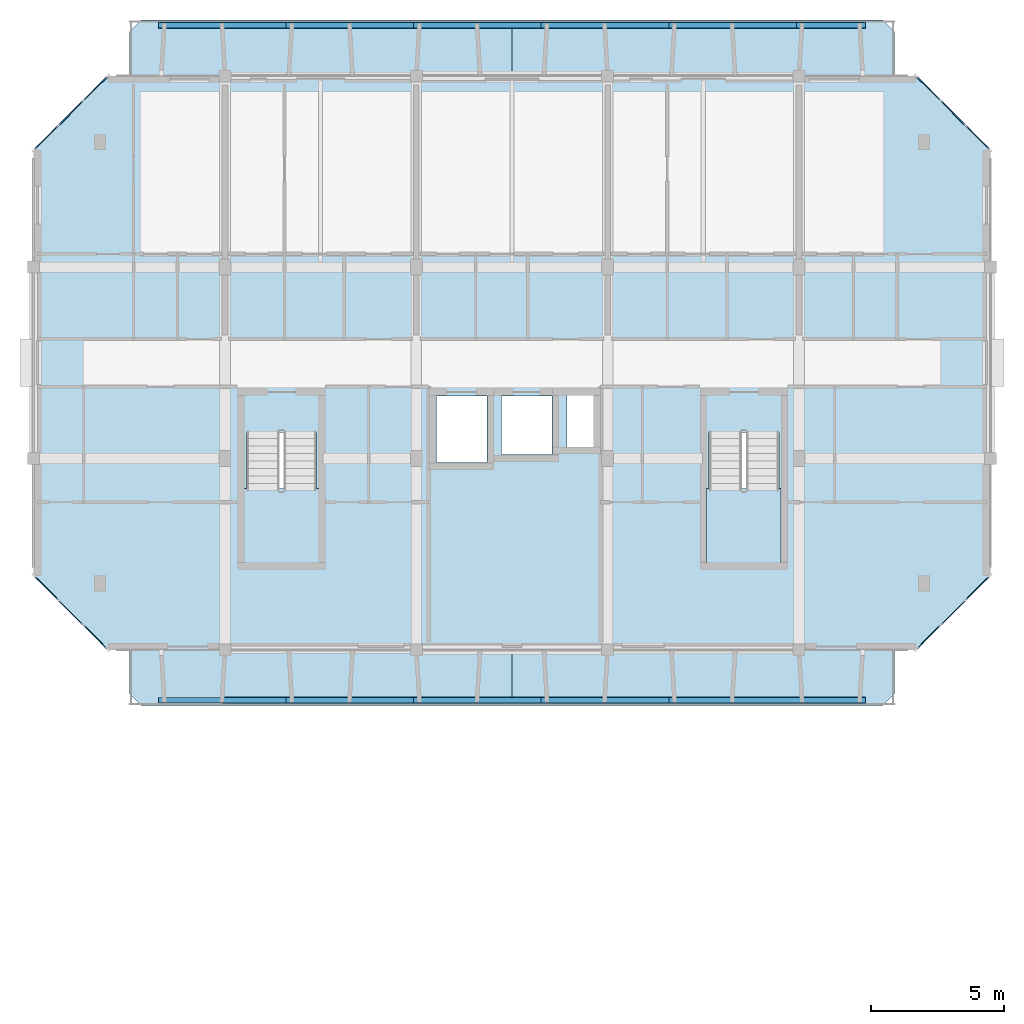
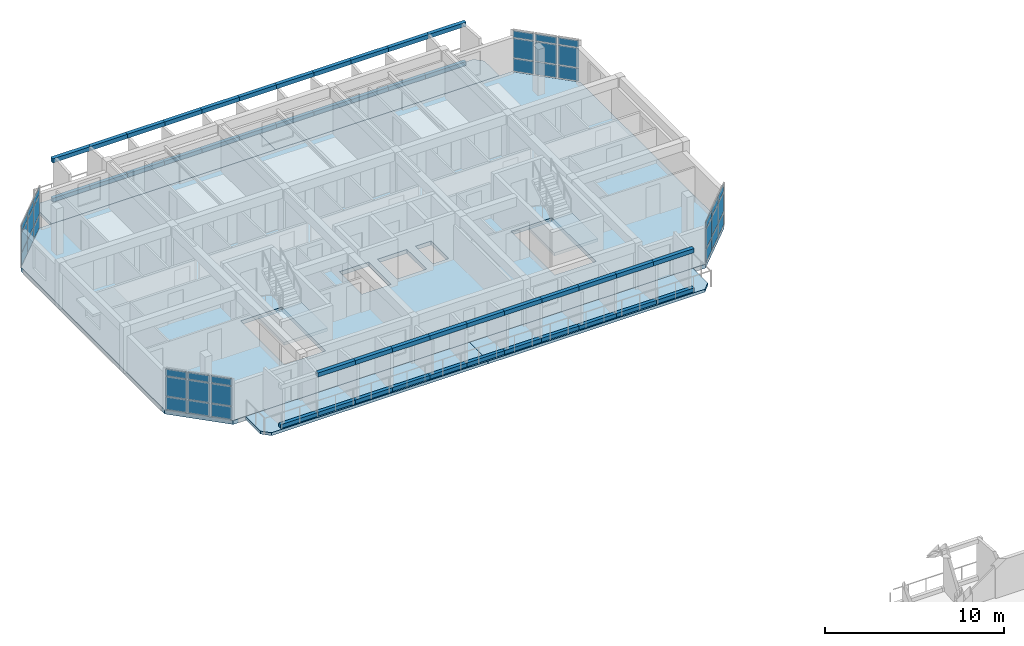
# One storey, part 7 of 22: 79 plates, 7 slabs, 6 elements without a shape of their own.
"""IFC4 building model written with IfcOpenShell, lengths in metres."""

from ifc_helpers import new_model, si_unit, direction, frame, origin, origin_2d, place, context, subcontext, project, spatial, polyline, rectangle, outline, extrude, material, layer, layer_set, type_object, element, aggregate, save


model = new_model("IFC4")

# Units and contexts
model_context = context("Model", 3, precision=1e-05, world=origin(), true_north=direction((0.0, 1.0)))
body_context = subcontext(model_context, "Body", "Model", "MODEL_VIEW")
ifc_project = project(units=[si_unit("LENGTHUNIT", "METRE"), si_unit("AREAUNIT", "SQUARE_METRE"), si_unit("VOLUMEUNIT", "CUBIC_METRE"), si_unit("PLANEANGLEUNIT", "RADIAN"), si_unit("MASSUNIT", "GRAM", prefix="KILO")], contexts=[model_context])

# Site, building, storey
site_placement = place(None, origin())
site = spatial("IfcSite", under=ifc_project, at=site_placement, CompositionType="ELEMENT")
building_placement = place(site_placement, origin())
building = spatial("IfcBuilding", under=site, at=building_placement, Name="Ochrevale Crest", CompositionType="ELEMENT")
storey_placement = place(building_placement, frame((0.0, 0.0, 40.199951171875)))
storey = spatial("IfcBuildingStorey", under=building, at=storey_placement, Name="L12", CompositionType="ELEMENT", Elevation=40.199951171875)

# Curtain wall, plates
ifc_material_1 = material(Name="Anodised aluminium 6063-T5", Category="aluminium")
ifc_layer_1 = layer(ifc_material_1, 0.14990234375)
ifc_layer_set_1 = layer_set([ifc_layer_1], Name="Anodised aluminium 6063-T5")
curtain_wall_type_1 = type_object("IfcCurtainWallType", Name="CW-WG-420x285", PredefinedType="NOTDEFINED", material=ifc_layer_set_1)
curtain_wall_1_placement = place(storey_placement, origin())
curtain_wall_1 = element("IfcCurtainWall", 1, at=curtain_wall_1_placement, inside=storey, type_object=curtain_wall_type_1, Name="Block D L12 chamfered corner wintergarden curtain wall 2", PredefinedType="NOTDEFINED")
ifc_material_2 = material(Name="Double-glazed low-E insulated glass unit", Category="glass")
ifc_layer_2 = layer(ifc_material_2, 0.028076171875)
ifc_layer_set_2 = layer_set([ifc_layer_2], Name="Double-glazed low-E insulated glass unit")
plate_type_1 = type_object("IfcPlateType", Name="CW-PNL-IGU28", PredefinedType="CURTAIN_PANEL", material=ifc_layer_set_2)
plate_1_placement = place(storey_placement, frame((163.280029296875, 72.47998046875, 0.06005859375), z_axis=(0.0, 0.0, 1.0), x_axis=(0.707106781187, 0.707106781187, 0.0)))
plate_1 = element("IfcPlate", 2, at=plate_1_placement, type_object=plate_type_1, Name="CW22 panel 1.1", PredefinedType="CURTAIN_PANEL", context=body_context, shape_type="SweptSolid", body=[
    extrude(rectangle(XDim=1.20751953125, YDim=0.028076171875, at=origin_2d()), origin(), (0.0, 0.0, 1.0), 0.860107421875),
])
plate_2_placement = place(storey_placement, frame((163.280029296875, 72.47998046875, 0.97998046875), z_axis=(0.0, 0.0, 1.0), x_axis=(0.707106781187, 0.707106781187, 0.0)))
plate_2 = element("IfcPlate", 3, at=plate_2_placement, type_object=plate_type_1, Name="CW22 panel 1.2", PredefinedType="CURTAIN_PANEL", context=body_context, shape_type="SweptSolid", body=[
    extrude(rectangle(XDim=1.20751953125, YDim=0.028076171875, at=origin_2d()), origin(), (0.0, 0.0, 1.0), 1.31494140625),
])
plate_3_placement = place(storey_placement, frame((163.280029296875, 72.47998046875, 2.35498046875), z_axis=(0.0, 0.0, 1.0), x_axis=(0.707106781187, 0.707106781187, 0.0)))
plate_3 = element("IfcPlate", 4, at=plate_3_placement, type_object=plate_type_1, Name="CW22 panel 1.3", PredefinedType="CURTAIN_PANEL", context=body_context, shape_type="SweptSolid", body=[
    extrude(rectangle(XDim=1.20751953125, YDim=0.028076171875, at=origin_2d()), origin(), (0.0, 0.0, 1.0), 0.4599609375),
])
plate_4_placement = place(storey_placement, frame((164.199951171875, 73.39990234375, 0.06005859375), z_axis=(0.0, 0.0, 1.0), x_axis=(0.707106781187, 0.707106781187, 0.0)))
plate_4 = element("IfcPlate", 5, at=plate_4_placement, type_object=plate_type_1, Name="CW22 panel 2.1", PredefinedType="CURTAIN_PANEL", context=body_context, shape_type="SweptSolid", body=[
    extrude(rectangle(XDim=1.244873046875, YDim=0.028076171875, at=origin_2d()), origin(), (0.0, 0.0, 1.0), 0.860107421875),
])
plate_5_placement = place(storey_placement, frame((164.199951171875, 73.39990234375, 0.97998046875), z_axis=(0.0, 0.0, 1.0), x_axis=(0.707106781187, 0.707106781187, 0.0)))
plate_5 = element("IfcPlate", 6, at=plate_5_placement, type_object=plate_type_1, Name="CW22 panel 2.2", PredefinedType="CURTAIN_PANEL", context=body_context, shape_type="SweptSolid", body=[
    extrude(rectangle(XDim=1.244873046875, YDim=0.028076171875, at=origin_2d()), origin(), (0.0, 0.0, 1.0), 1.31494140625),
])
plate_6_placement = place(storey_placement, frame((164.199951171875, 73.39990234375, 2.35498046875), z_axis=(0.0, 0.0, 1.0), x_axis=(0.707106781187, 0.707106781187, 0.0)))
plate_6 = element("IfcPlate", 7, at=plate_6_placement, type_object=plate_type_1, Name="CW22 panel 2.3", PredefinedType="CURTAIN_PANEL", context=body_context, shape_type="SweptSolid", body=[
    extrude(rectangle(XDim=1.244873046875, YDim=0.028076171875, at=origin_2d()), origin(), (0.0, 0.0, 1.0), 0.4599609375),
])
plate_7_placement = place(storey_placement, frame((165.1201171875, 74.320068359375, 0.06005859375), z_axis=(0.0, 0.0, 1.0), x_axis=(0.707106781187, 0.707106781187, 0.0)))
plate_7 = element("IfcPlate", 8, at=plate_7_placement, type_object=plate_type_1, Name="CW22 panel 3.1", PredefinedType="CURTAIN_PANEL", context=body_context, shape_type="SweptSolid", body=[
    extrude(rectangle(XDim=1.20751953125, YDim=0.028076171875, at=origin_2d()), origin(), (0.0, 0.0, 1.0), 0.860107421875),
])
plate_8_placement = place(storey_placement, frame((165.1201171875, 74.320068359375, 0.97998046875), z_axis=(0.0, 0.0, 1.0), x_axis=(0.707106781187, 0.707106781187, 0.0)))
plate_8 = element("IfcPlate", 9, at=plate_8_placement, type_object=plate_type_1, Name="CW22 panel 3.2", PredefinedType="CURTAIN_PANEL", context=body_context, shape_type="SweptSolid", body=[
    extrude(rectangle(XDim=1.20751953125, YDim=0.028076171875, at=origin_2d()), origin(), (0.0, 0.0, 1.0), 1.31494140625),
])
plate_9_placement = place(storey_placement, frame((165.1201171875, 74.320068359375, 2.35498046875), z_axis=(0.0, 0.0, 1.0), x_axis=(0.707106781187, 0.707106781187, 0.0)))
plate_9 = element("IfcPlate", 10, at=plate_9_placement, type_object=plate_type_1, Name="CW22 panel 3.3", PredefinedType="CURTAIN_PANEL", context=body_context, shape_type="SweptSolid", body=[
    extrude(rectangle(XDim=1.20751953125, YDim=0.028076171875, at=origin_2d()), origin(), (0.0, 0.0, 1.0), 0.4599609375),
])
aggregate(curtain_wall_1, [plate_1, plate_2, plate_3, plate_4, plate_5, plate_6, plate_7, plate_8, plate_9])

ifc_layer_3 = layer(ifc_material_1, 0.14990234375)
ifc_layer_set_3 = layer_set([ifc_layer_3], Name="Anodised aluminium 6063-T5")
curtain_wall_type_2 = type_object("IfcCurtainWallType", Name="CW-WG-240x285", PredefinedType="NOTDEFINED", material=ifc_layer_set_3)
curtain_wall_2_placement = place(storey_placement, origin())
curtain_wall_2 = element("IfcCurtainWall", 11, at=curtain_wall_2_placement, inside=storey, type_object=curtain_wall_type_2, Name="Block D L12 chamfered corner wintergarden curtain wall 8", PredefinedType="NOTDEFINED")
plate_10_placement = place(storey_placement, frame((130.079833984375, 74.320068359375, 0.06005859375), z_axis=(0.0, 0.0, 1.0), x_axis=(0.707106781187, -0.707106781187, 0.0)))
plate_10 = element("IfcPlate", 12, at=plate_10_placement, type_object=plate_type_1, Name="CW15 panel 1.1", PredefinedType="CURTAIN_PANEL", context=body_context, shape_type="SweptSolid", body=[
    extrude(rectangle(XDim=1.20751953125, YDim=0.028076171875, at=origin_2d()), origin(), (0.0, 0.0, 1.0), 0.860107421875),
])
plate_11_placement = place(storey_placement, frame((130.079833984375, 74.320068359375, 0.97998046875), z_axis=(0.0, 0.0, 1.0), x_axis=(0.707106781187, -0.707106781187, 0.0)))
plate_11 = element("IfcPlate", 13, at=plate_11_placement, type_object=plate_type_1, Name="CW15 panel 1.2", PredefinedType="CURTAIN_PANEL", context=body_context, shape_type="SweptSolid", body=[
    extrude(rectangle(XDim=1.20751953125, YDim=0.028076171875, at=origin_2d()), origin(), (0.0, 0.0, 1.0), 1.31494140625),
])
plate_12_placement = place(storey_placement, frame((130.079833984375, 74.320068359375, 2.35498046875), z_axis=(0.0, 0.0, 1.0), x_axis=(0.707106781187, -0.707106781187, 0.0)))
plate_12 = element("IfcPlate", 14, at=plate_12_placement, type_object=plate_type_1, Name="CW15 panel 1.3", PredefinedType="CURTAIN_PANEL", context=body_context, shape_type="SweptSolid", body=[
    extrude(rectangle(XDim=1.20751953125, YDim=0.028076171875, at=origin_2d()), origin(), (0.0, 0.0, 1.0), 0.4599609375),
])
plate_13_placement = place(storey_placement, frame((131.0, 73.39990234375, 0.06005859375), z_axis=(0.0, 0.0, 1.0), x_axis=(0.707106781187, -0.707106781187, 0.0)))
plate_13 = element("IfcPlate", 15, at=plate_13_placement, type_object=plate_type_1, Name="CW15 panel 2.1", PredefinedType="CURTAIN_PANEL", context=body_context, shape_type="SweptSolid", body=[
    extrude(rectangle(XDim=1.244873046875, YDim=0.028076171875, at=origin_2d()), origin(), (0.0, 0.0, 1.0), 0.860107421875),
])
plate_14_placement = place(storey_placement, frame((131.0, 73.39990234375, 0.97998046875), z_axis=(0.0, 0.0, 1.0), x_axis=(0.707106781187, -0.707106781187, 0.0)))
plate_14 = element("IfcPlate", 16, at=plate_14_placement, type_object=plate_type_1, Name="CW15 panel 2.2", PredefinedType="CURTAIN_PANEL", context=body_context, shape_type="SweptSolid", body=[
    extrude(rectangle(XDim=1.244873046875, YDim=0.028076171875, at=origin_2d()), origin(), (0.0, 0.0, 1.0), 1.31494140625),
])
plate_15_placement = place(storey_placement, frame((131.0, 73.39990234375, 2.35498046875), z_axis=(0.0, 0.0, 1.0), x_axis=(0.707106781187, -0.707106781187, 0.0)))
plate_15 = element("IfcPlate", 17, at=plate_15_placement, type_object=plate_type_1, Name="CW15 panel 2.3", PredefinedType="CURTAIN_PANEL", context=body_context, shape_type="SweptSolid", body=[
    extrude(rectangle(XDim=1.244873046875, YDim=0.028076171875, at=origin_2d()), origin(), (0.0, 0.0, 1.0), 0.4599609375),
])
plate_16_placement = place(storey_placement, frame((131.920166015625, 72.47998046875, 0.06005859375), z_axis=(0.0, 0.0, 1.0), x_axis=(0.707106781187, -0.707106781187, 0.0)))
plate_16 = element("IfcPlate", 18, at=plate_16_placement, type_object=plate_type_1, Name="CW15 panel 3.1", PredefinedType="CURTAIN_PANEL", context=body_context, shape_type="SweptSolid", body=[
    extrude(rectangle(XDim=1.20751953125, YDim=0.028076171875, at=origin_2d()), origin(), (0.0, 0.0, 1.0), 0.860107421875),
])
plate_17_placement = place(storey_placement, frame((131.920166015625, 72.47998046875, 0.97998046875), z_axis=(0.0, 0.0, 1.0), x_axis=(0.707106781187, -0.707106781187, 0.0)))
plate_17 = element("IfcPlate", 19, at=plate_17_placement, type_object=plate_type_1, Name="CW15 panel 3.2", PredefinedType="CURTAIN_PANEL", context=body_context, shape_type="SweptSolid", body=[
    extrude(rectangle(XDim=1.20751953125, YDim=0.028076171875, at=origin_2d()), origin(), (0.0, 0.0, 1.0), 1.31494140625),
])
plate_18_placement = place(storey_placement, frame((131.920166015625, 72.47998046875, 2.35498046875), z_axis=(0.0, 0.0, 1.0), x_axis=(0.707106781187, -0.707106781187, 0.0)))
plate_18 = element("IfcPlate", 20, at=plate_18_placement, type_object=plate_type_1, Name="CW15 panel 3.3", PredefinedType="CURTAIN_PANEL", context=body_context, shape_type="SweptSolid", body=[
    extrude(rectangle(XDim=1.20751953125, YDim=0.028076171875, at=origin_2d()), origin(), (0.0, 0.0, 1.0), 0.4599609375),
])
aggregate(curtain_wall_2, [plate_10, plate_11, plate_12, plate_13, plate_14, plate_15, plate_16, plate_17, plate_18])

ifc_layer_4 = layer(ifc_material_1, 0.14990234375)
ifc_layer_set_4 = layer_set([ifc_layer_4], Name="Anodised aluminium 6063-T5")
curtain_wall_type_3 = type_object("IfcCurtainWallType", Name="CW-WG-280x285", PredefinedType="NOTDEFINED", material=ifc_layer_set_4)
curtain_wall_3_placement = place(storey_placement, origin())
curtain_wall_3 = element("IfcCurtainWall", 21, at=curtain_wall_3_placement, inside=storey, type_object=curtain_wall_type_3, Name="Block D L12 chamfered corner wintergarden curtain wall 4", PredefinedType="NOTDEFINED")
ifc_material_3 = material(Name="Acoustic laminated low-E insulated glass unit", Category="glass")
ifc_layer_5 = layer(ifc_material_3, 0.0380859375)
ifc_layer_set_5 = layer_set([ifc_layer_5], Name="Acoustic laminated low-E insulated glass unit")
plate_type_2 = type_object("IfcPlateType", Name="CW-PNL-IGU38", PredefinedType="CURTAIN_PANEL", material=ifc_layer_set_5)
plate_19_placement = place(storey_placement, frame((165.1201171875, 91.280029296875, 0.06005859375), z_axis=(0.0, 0.0, 1.0), x_axis=(-0.707106781187, 0.707106781187, 0.0)))
plate_19 = element("IfcPlate", 22, at=plate_19_placement, type_object=plate_type_2, Name="CW16 panel 1.1", PredefinedType="CURTAIN_PANEL", context=body_context, shape_type="SweptSolid", body=[
    extrude(rectangle(XDim=1.20751953125, YDim=0.0380859375, at=origin_2d()), origin(), (0.0, 0.0, 1.0), 0.860107421875),
])
plate_20_placement = place(storey_placement, frame((165.1201171875, 91.280029296875, 0.97998046875), z_axis=(0.0, 0.0, 1.0), x_axis=(-0.707106781187, 0.707106781187, 0.0)))
plate_20 = element("IfcPlate", 23, at=plate_20_placement, type_object=plate_type_2, Name="CW16 panel 1.2", PredefinedType="CURTAIN_PANEL", context=body_context, shape_type="SweptSolid", body=[
    extrude(rectangle(XDim=1.20751953125, YDim=0.0380859375, at=origin_2d()), origin(), (0.0, 0.0, 1.0), 1.31494140625),
])
plate_21_placement = place(storey_placement, frame((165.1201171875, 91.280029296875, 2.35498046875), z_axis=(0.0, 0.0, 1.0), x_axis=(-0.707106781187, 0.707106781187, 0.0)))
plate_21 = element("IfcPlate", 24, at=plate_21_placement, type_object=plate_type_2, Name="CW16 panel 1.3", PredefinedType="CURTAIN_PANEL", context=body_context, shape_type="SweptSolid", body=[
    extrude(rectangle(XDim=1.20751953125, YDim=0.0380859375, at=origin_2d()), origin(), (0.0, 0.0, 1.0), 0.4599609375),
])
plate_22_placement = place(storey_placement, frame((164.199951171875, 92.199951171875, 0.06005859375), z_axis=(0.0, 0.0, 1.0), x_axis=(-0.707106781187, 0.707106781187, 0.0)))
plate_22 = element("IfcPlate", 25, at=plate_22_placement, type_object=plate_type_2, Name="CW16 panel 2.1", PredefinedType="CURTAIN_PANEL", context=body_context, shape_type="SweptSolid", body=[
    extrude(rectangle(XDim=1.244873046875, YDim=0.0380859375, at=origin_2d()), origin(), (0.0, 0.0, 1.0), 0.860107421875),
])
plate_23_placement = place(storey_placement, frame((164.199951171875, 92.199951171875, 0.97998046875), z_axis=(0.0, 0.0, 1.0), x_axis=(-0.707106781187, 0.707106781187, 0.0)))
plate_23 = element("IfcPlate", 26, at=plate_23_placement, type_object=plate_type_2, Name="CW16 panel 2.2", PredefinedType="CURTAIN_PANEL", context=body_context, shape_type="SweptSolid", body=[
    extrude(rectangle(XDim=1.244873046875, YDim=0.0380859375, at=origin_2d()), origin(), (0.0, 0.0, 1.0), 1.31494140625),
])
plate_24_placement = place(storey_placement, frame((164.199951171875, 92.199951171875, 2.35498046875), z_axis=(0.0, 0.0, 1.0), x_axis=(-0.707106781187, 0.707106781187, 0.0)))
plate_24 = element("IfcPlate", 27, at=plate_24_placement, type_object=plate_type_2, Name="CW16 panel 2.3", PredefinedType="CURTAIN_PANEL", context=body_context, shape_type="SweptSolid", body=[
    extrude(rectangle(XDim=1.244873046875, YDim=0.0380859375, at=origin_2d()), origin(), (0.0, 0.0, 1.0), 0.4599609375),
])
plate_25_placement = place(storey_placement, frame((163.280029296875, 93.1201171875, 0.06005859375), z_axis=(0.0, 0.0, 1.0), x_axis=(-0.707106781187, 0.707106781187, 0.0)))
plate_25 = element("IfcPlate", 28, at=plate_25_placement, type_object=plate_type_2, Name="CW16 panel 3.1", PredefinedType="CURTAIN_PANEL", context=body_context, shape_type="SweptSolid", body=[
    extrude(rectangle(XDim=1.20751953125, YDim=0.0380859375, at=origin_2d()), origin(), (0.0, 0.0, 1.0), 0.860107421875),
])
plate_26_placement = place(storey_placement, frame((163.280029296875, 93.1201171875, 0.97998046875), z_axis=(0.0, 0.0, 1.0), x_axis=(-0.707106781187, 0.707106781187, 0.0)))
plate_26 = element("IfcPlate", 29, at=plate_26_placement, type_object=plate_type_2, Name="CW16 panel 3.2", PredefinedType="CURTAIN_PANEL", context=body_context, shape_type="SweptSolid", body=[
    extrude(rectangle(XDim=1.20751953125, YDim=0.0380859375, at=origin_2d()), origin(), (0.0, 0.0, 1.0), 1.31494140625),
])
plate_27_placement = place(storey_placement, frame((163.280029296875, 93.1201171875, 2.35498046875), z_axis=(0.0, 0.0, 1.0), x_axis=(-0.707106781187, 0.707106781187, 0.0)))
plate_27 = element("IfcPlate", 30, at=plate_27_placement, type_object=plate_type_2, Name="CW16 panel 3.3", PredefinedType="CURTAIN_PANEL", context=body_context, shape_type="SweptSolid", body=[
    extrude(rectangle(XDim=1.20751953125, YDim=0.0380859375, at=origin_2d()), origin(), (0.0, 0.0, 1.0), 0.4599609375),
])
aggregate(curtain_wall_3, [plate_19, plate_20, plate_21, plate_22, plate_23, plate_24, plate_25, plate_26, plate_27])

ifc_layer_6 = layer(ifc_material_1, 0.14990234375)
ifc_layer_set_6 = layer_set([ifc_layer_6], Name="Anodised aluminium 6063-T5")
curtain_wall_type_4 = type_object("IfcCurtainWallType", Name="CW-WG-360x285", PredefinedType="NOTDEFINED", material=ifc_layer_set_6)
curtain_wall_4_placement = place(storey_placement, origin())
curtain_wall_4 = element("IfcCurtainWall", 31, at=curtain_wall_4_placement, inside=storey, type_object=curtain_wall_type_4, Name="Block D L12 chamfered corner wintergarden curtain wall 6", PredefinedType="NOTDEFINED")
plate_28_placement = place(storey_placement, frame((131.920166015625, 93.1201171875, 0.06005859375), z_axis=(0.0, 0.0, 1.0), x_axis=(-0.707106781187, -0.707106781187, 0.0)))
plate_28 = element("IfcPlate", 32, at=plate_28_placement, type_object=plate_type_2, Name="CW18 panel 1.1", PredefinedType="CURTAIN_PANEL", context=body_context, shape_type="SweptSolid", body=[
    extrude(rectangle(XDim=1.20751953125, YDim=0.0380859375, at=origin_2d()), origin(), (0.0, 0.0, 1.0), 0.860107421875),
])
plate_29_placement = place(storey_placement, frame((131.920166015625, 93.1201171875, 0.97998046875), z_axis=(0.0, 0.0, 1.0), x_axis=(-0.707106781187, -0.707106781187, 0.0)))
plate_29 = element("IfcPlate", 33, at=plate_29_placement, type_object=plate_type_2, Name="CW18 panel 1.2", PredefinedType="CURTAIN_PANEL", context=body_context, shape_type="SweptSolid", body=[
    extrude(rectangle(XDim=1.20751953125, YDim=0.0380859375, at=origin_2d()), origin(), (0.0, 0.0, 1.0), 1.31494140625),
])
plate_30_placement = place(storey_placement, frame((131.920166015625, 93.1201171875, 2.35498046875), z_axis=(0.0, 0.0, 1.0), x_axis=(-0.707106781187, -0.707106781187, 0.0)))
plate_30 = element("IfcPlate", 34, at=plate_30_placement, type_object=plate_type_2, Name="CW18 panel 1.3", PredefinedType="CURTAIN_PANEL", context=body_context, shape_type="SweptSolid", body=[
    extrude(rectangle(XDim=1.20751953125, YDim=0.0380859375, at=origin_2d()), origin(), (0.0, 0.0, 1.0), 0.4599609375),
])
plate_31_placement = place(storey_placement, frame((131.0, 92.199951171875, 0.06005859375), z_axis=(0.0, 0.0, 1.0), x_axis=(-0.707106781187, -0.707106781187, 0.0)))
plate_31 = element("IfcPlate", 35, at=plate_31_placement, type_object=plate_type_2, Name="CW18 panel 2.1", PredefinedType="CURTAIN_PANEL", context=body_context, shape_type="SweptSolid", body=[
    extrude(rectangle(XDim=1.244873046875, YDim=0.0380859375, at=origin_2d()), origin(), (0.0, 0.0, 1.0), 0.860107421875),
])
plate_32_placement = place(storey_placement, frame((131.0, 92.199951171875, 0.97998046875), z_axis=(0.0, 0.0, 1.0), x_axis=(-0.707106781187, -0.707106781187, 0.0)))
plate_32 = element("IfcPlate", 36, at=plate_32_placement, type_object=plate_type_2, Name="CW18 panel 2.2", PredefinedType="CURTAIN_PANEL", context=body_context, shape_type="SweptSolid", body=[
    extrude(rectangle(XDim=1.244873046875, YDim=0.0380859375, at=origin_2d()), origin(), (0.0, 0.0, 1.0), 1.31494140625),
])
plate_33_placement = place(storey_placement, frame((131.0, 92.199951171875, 2.35498046875), z_axis=(0.0, 0.0, 1.0), x_axis=(-0.707106781187, -0.707106781187, 0.0)))
plate_33 = element("IfcPlate", 37, at=plate_33_placement, type_object=plate_type_2, Name="CW18 panel 2.3", PredefinedType="CURTAIN_PANEL", context=body_context, shape_type="SweptSolid", body=[
    extrude(rectangle(XDim=1.244873046875, YDim=0.0380859375, at=origin_2d()), origin(), (0.0, 0.0, 1.0), 0.4599609375),
])
plate_34_placement = place(storey_placement, frame((130.079833984375, 91.280029296875, 0.06005859375), z_axis=(0.0, 0.0, 1.0), x_axis=(-0.707106781187, -0.707106781187, 0.0)))
plate_34 = element("IfcPlate", 38, at=plate_34_placement, type_object=plate_type_2, Name="CW18 panel 3.1", PredefinedType="CURTAIN_PANEL", context=body_context, shape_type="SweptSolid", body=[
    extrude(rectangle(XDim=1.20751953125, YDim=0.0380859375, at=origin_2d()), origin(), (0.0, 0.0, 1.0), 0.860107421875),
])
plate_35_placement = place(storey_placement, frame((130.079833984375, 91.280029296875, 0.97998046875), z_axis=(0.0, 0.0, 1.0), x_axis=(-0.707106781187, -0.707106781187, 0.0)))
plate_35 = element("IfcPlate", 39, at=plate_35_placement, type_object=plate_type_2, Name="CW18 panel 3.2", PredefinedType="CURTAIN_PANEL", context=body_context, shape_type="SweptSolid", body=[
    extrude(rectangle(XDim=1.20751953125, YDim=0.0380859375, at=origin_2d()), origin(), (0.0, 0.0, 1.0), 1.31494140625),
])
plate_36_placement = place(storey_placement, frame((130.079833984375, 91.280029296875, 2.35498046875), z_axis=(0.0, 0.0, 1.0), x_axis=(-0.707106781187, -0.707106781187, 0.0)))
plate_36 = element("IfcPlate", 40, at=plate_36_placement, type_object=plate_type_2, Name="CW18 panel 3.3", PredefinedType="CURTAIN_PANEL", context=body_context, shape_type="SweptSolid", body=[
    extrude(rectangle(XDim=1.20751953125, YDim=0.0380859375, at=origin_2d()), origin(), (0.0, 0.0, 1.0), 0.4599609375),
])
aggregate(curtain_wall_4, [plate_28, plate_29, plate_30, plate_31, plate_32, plate_33, plate_34, plate_35, plate_36])

# Plates
ifc_material_4 = material(Name="Precast concrete C40/50", Category="concrete")
ifc_layer_7 = layer(ifc_material_4, 0.06005859375)
ifc_layer_set_7 = layer_set([ifc_layer_7], Name="Precast concrete C40/50")
plate_type_3 = type_object("IfcPlateType", Name="PLT-HC-HEAD-60", PredefinedType="USERDEFINED", material=ifc_layer_set_7)
for number, where, z_axis, x_axis, name in (
    (41, (138.0, 70.10009765625, 2.669921875), (0.0, 0.0, 1.0), (1.0, 0.0, 0.0), "Block D L12 S honeycomb arched lintel fascia 2"),
    (42, (140.39990234375, 70.10009765625, 2.669921875), (0.0, 0.0, 1.0), (1.0, 0.0, 0.0), "Block D L12 S honeycomb arched lintel fascia 3"),
    (43, (142.800048828125, 70.10009765625, 2.669921875), (0.0, 0.0, 1.0), (1.0, 0.0, 0.0), "Block D L12 S honeycomb arched lintel fascia 4"),
    (44, (145.199951171875, 70.10009765625, 2.669921875), (0.0, 0.0, 1.0), (1.0, 0.0, 0.0), "Block D L12 S honeycomb arched lintel fascia 5"),
    (45, (147.60009765625, 70.10009765625, 2.669921875), (0.0, 0.0, 1.0), (1.0, 0.0, 0.0), "Block D L12 S honeycomb arched lintel fascia 6"),
    (46, (150.0, 70.10009765625, 2.669921875), (0.0, 0.0, 1.0), (1.0, 0.0, 0.0), "Block D L12 S honeycomb arched lintel fascia 7"),
    (47, (152.39990234375, 70.10009765625, 2.669921875), (0.0, 0.0, 1.0), (1.0, 0.0, 0.0), "Block D L12 S honeycomb arched lintel fascia 8"),
    (48, (154.800048828125, 70.10009765625, 2.669921875), (0.0, 0.0, 1.0), (1.0, 0.0, 0.0), "Block D L12 S honeycomb arched lintel fascia 9"),
    (49, (157.199951171875, 70.10009765625, 2.669921875), (0.0, 0.0, 1.0), (1.0, 0.0, 0.0), "Block D L12 S honeycomb arched lintel fascia 10"),
    (50, (159.60009765625, 70.10009765625, 2.669921875), (0.0, 0.0, 1.0), (1.0, 0.0, 0.0), "Block D L12 S honeycomb arched lintel fascia 11"),
    (51, (135.60009765625, 95.5, 2.669921875), (0.0, 0.0, 1.0), (1.0, 0.0, 0.0), "Block D L12 N honeycomb arched lintel fascia 1"),
    (52, (138.0, 95.5, 2.669921875), (0.0, 0.0, 1.0), (1.0, 0.0, 0.0), "Block D L12 N honeycomb arched lintel fascia 2"),
    (53, (140.39990234375, 95.5, 2.669921875), (0.0, 0.0, 1.0), (1.0, 0.0, 0.0), "Block D L12 N honeycomb arched lintel fascia 3"),
    (54, (142.800048828125, 95.5, 2.669921875), (0.0, 0.0, 1.0), (1.0, 0.0, 0.0), "Block D L12 N honeycomb arched lintel fascia 4"),
    (55, (145.199951171875, 95.5, 2.669921875), (0.0, 0.0, 1.0), (1.0, 0.0, 0.0), "Block D L12 N honeycomb arched lintel fascia 5"),
    (56, (147.60009765625, 95.5, 2.669921875), (0.0, 0.0, 1.0), (1.0, 0.0, 0.0), "Block D L12 N honeycomb arched lintel fascia 6"),
    (57, (150.0, 95.5, 2.669921875), (0.0, 0.0, 1.0), (1.0, 0.0, 0.0), "Block D L12 N honeycomb arched lintel fascia 7"),
    (58, (152.39990234375, 95.5, 2.669921875), (0.0, 0.0, 1.0), (1.0, 0.0, 0.0), "Block D L12 N honeycomb arched lintel fascia 8"),
    (59, (154.800048828125, 95.5, 2.669921875), (0.0, 0.0, 1.0), (1.0, 0.0, 0.0), "Block D L12 N honeycomb arched lintel fascia 9"),
    (60, (157.199951171875, 95.5, 2.669921875), (0.0, 0.0, 1.0), (1.0, 0.0, 0.0), "Block D L12 N honeycomb arched lintel fascia 10"),
    (61, (159.60009765625, 95.5, 2.669921875), (0.0, 0.0, 1.0), (1.0, 0.0, 0.0), "Block D L12 N honeycomb arched lintel fascia 11"),
):
    element("IfcPlate", number, at=place(storey_placement, frame(where, z_axis=z_axis, x_axis=x_axis)), inside=storey, type_object=plate_type_3, Name=name, ObjectType="FACADE FASCIA PLATE", PredefinedType="USERDEFINED", context=body_context, shape_type="SweptSolid", body=[
        extrude(rectangle(XDim=2.60009765625, YDim=0.239990234375, at=origin_2d()), origin(), (0.0, 0.0, 1.0), 0.280029296875),
    ])
ifc_layer_8 = layer(ifc_material_4, 0.044921875)
ifc_layer_set_8 = layer_set([ifc_layer_8], Name="Precast concrete C40/50")
plate_type_4 = type_object("IfcPlateType", Name="PLT-HC-SILL-45", PredefinedType="USERDEFINED", material=ifc_layer_set_8)
for number, where, z_axis, x_axis, name in (
    (62, (135.60009765625, 70.10009765625, 0.0), (0.0, 0.0, 1.0), (1.0, 0.0, 0.0), "Block D L12 S honeycomb sill coping plate 1"),
    (63, (138.0, 70.10009765625, 0.0), (0.0, 0.0, 1.0), (1.0, 0.0, 0.0), "Block D L12 S honeycomb sill coping plate 2"),
    (64, (140.39990234375, 70.10009765625, 0.0), (0.0, 0.0, 1.0), (1.0, 0.0, 0.0), "Block D L12 S honeycomb sill coping plate 3"),
    (65, (142.800048828125, 70.10009765625, 0.0), (0.0, 0.0, 1.0), (1.0, 0.0, 0.0), "Block D L12 S honeycomb sill coping plate 4"),
    (66, (145.199951171875, 70.10009765625, 0.0), (0.0, 0.0, 1.0), (1.0, 0.0, 0.0), "Block D L12 S honeycomb sill coping plate 5"),
    (67, (147.60009765625, 70.10009765625, 0.0), (0.0, 0.0, 1.0), (1.0, 0.0, 0.0), "Block D L12 S honeycomb sill coping plate 6"),
    (68, (150.0, 70.10009765625, 0.0), (0.0, 0.0, 1.0), (1.0, 0.0, 0.0), "Block D L12 S honeycomb sill coping plate 7"),
    (69, (152.39990234375, 70.10009765625, 0.0), (0.0, 0.0, 1.0), (1.0, 0.0, 0.0), "Block D L12 S honeycomb sill coping plate 8"),
    (70, (154.800048828125, 70.10009765625, 0.0), (0.0, 0.0, 1.0), (1.0, 0.0, 0.0), "Block D L12 S honeycomb sill coping plate 9"),
    (71, (157.199951171875, 70.10009765625, 0.0), (0.0, 0.0, 1.0), (1.0, 0.0, 0.0), "Block D L12 S honeycomb sill coping plate 10"),
    (72, (159.60009765625, 70.10009765625, 0.0), (0.0, 0.0, 1.0), (1.0, 0.0, 0.0), "Block D L12 S honeycomb sill coping plate 11"),
    (73, (135.60009765625, 95.5, 0.0), (0.0, 0.0, 1.0), (1.0, 0.0, 0.0), "Block D L12 N honeycomb sill coping plate 1"),
    (74, (138.0, 95.5, 0.0), (0.0, 0.0, 1.0), (1.0, 0.0, 0.0), "Block D L12 N honeycomb sill coping plate 2"),
    (75, (140.39990234375, 95.5, 0.0), (0.0, 0.0, 1.0), (1.0, 0.0, 0.0), "Block D L12 N honeycomb sill coping plate 3"),
    (76, (142.800048828125, 95.5, 0.0), (0.0, 0.0, 1.0), (1.0, 0.0, 0.0), "Block D L12 N honeycomb sill coping plate 4"),
    (77, (145.199951171875, 95.5, 0.0), (0.0, 0.0, 1.0), (1.0, 0.0, 0.0), "Block D L12 N honeycomb sill coping plate 5"),
    (78, (147.60009765625, 95.5, 0.0), (0.0, 0.0, 1.0), (1.0, 0.0, 0.0), "Block D L12 N honeycomb sill coping plate 6"),
    (79, (150.0, 95.5, 0.0), (0.0, 0.0, 1.0), (1.0, 0.0, 0.0), "Block D L12 N honeycomb sill coping plate 7"),
    (80, (152.39990234375, 95.5, 0.0), (0.0, 0.0, 1.0), (1.0, 0.0, 0.0), "Block D L12 N honeycomb sill coping plate 8"),
    (81, (154.800048828125, 95.5, 0.0), (0.0, 0.0, 1.0), (1.0, 0.0, 0.0), "Block D L12 N honeycomb sill coping plate 9"),
    (82, (157.199951171875, 95.5, 0.0), (0.0, 0.0, 1.0), (1.0, 0.0, 0.0), "Block D L12 N honeycomb sill coping plate 10"),
    (83, (159.60009765625, 95.5, 0.0), (0.0, 0.0, 1.0), (1.0, 0.0, 0.0), "Block D L12 N honeycomb sill coping plate 11"),
):
    element("IfcPlate", number, at=place(storey_placement, frame(where, z_axis=z_axis, x_axis=x_axis)), inside=storey, type_object=plate_type_4, Name=name, ObjectType="SILL COPING PLATE", PredefinedType="USERDEFINED", context=body_context, shape_type="SweptSolid", body=[
        extrude(rectangle(XDim=2.60009765625, YDim=0.219970703125, at=origin_2d()), origin(), (0.0, 0.0, 1.0), 0.260009765625),
    ])

# Slabs
ifc_layer_9 = layer(ifc_material_4, 0.199951171875)
ifc_layer_set_9 = layer_set([ifc_layer_9], Name="Precast concrete C40/50")
slab_type_1 = type_object("IfcSlabType", Name="SLB-BAL-200", PredefinedType="FLOOR", material=ifc_layer_set_9)
slab_1_placement = place(storey_placement, frame((0.0, 0.0, -0.199951171875)))
element("IfcSlab", 84, at=slab_1_placement, inside=storey, type_object=slab_type_1, Name="Block D L12 S1 precast loggia balcony slab", PredefinedType="FLOOR", context=body_context, shape_type="SweptSolid", body=[
    extrude(outline(polyline([(133.64990234375, 69.89990234375), (147.60009765625, 69.89990234375), (147.60009765625, 72.0), (133.199951171875, 72.0), (133.199951171875, 70.35009765625), (133.64990234375, 69.89990234375)])), origin(), (0.0, 0.0, 1.0), 0.199951171875),
])
slab_2_placement = place(storey_placement, frame((0.0, 0.0, -0.199951171875)))
element("IfcSlab", 85, at=slab_2_placement, inside=storey, type_object=slab_type_1, Name="Block D L12 S2 precast loggia balcony slab", PredefinedType="FLOOR", context=body_context, shape_type="SweptSolid", body=[
    extrude(outline(polyline([(147.60009765625, 69.89990234375), (161.550048828125, 69.89990234375), (162.0, 70.35009765625), (162.0, 72.0), (147.60009765625, 72.0), (147.60009765625, 69.89990234375)])), origin(), (0.0, 0.0, 1.0), 0.199951171875),
])
slab_3_placement = place(storey_placement, frame((0.0, 0.0, -0.199951171875)))
element("IfcSlab", 86, at=slab_3_placement, inside=storey, type_object=slab_type_1, Name="Block D L12 N1 precast loggia balcony slab", PredefinedType="FLOOR", context=body_context, shape_type="SweptSolid", body=[
    extrude(outline(polyline([(133.199951171875, 93.60009765625), (147.60009765625, 93.60009765625), (147.60009765625, 95.699951171875), (133.64990234375, 95.699951171875), (133.199951171875, 95.25), (133.199951171875, 93.60009765625)])), origin(), (0.0, 0.0, 1.0), 0.199951171875),
])
slab_4_placement = place(storey_placement, frame((0.0, 0.0, -0.199951171875)))
element("IfcSlab", 87, at=slab_4_placement, inside=storey, type_object=slab_type_1, Name="Block D L12 N2 precast loggia balcony slab", PredefinedType="FLOOR", context=body_context, shape_type="SweptSolid", body=[
    extrude(outline(polyline([(147.60009765625, 93.60009765625), (162.0, 93.60009765625), (162.0, 95.25), (161.550048828125, 95.699951171875), (147.60009765625, 95.699951171875), (147.60009765625, 93.60009765625)])), origin(), (0.0, 0.0, 1.0), 0.199951171875),
])
ifc_layer_10 = layer(ifc_material_4, 0.27490234375)
ifc_layer_set_10 = layer_set([ifc_layer_10], Name="Precast concrete C40/50")
slab_type_2 = type_object("IfcSlabType", Name="SLB-RES-275", PredefinedType="FLOOR", material=ifc_layer_set_10)
slab_5_placement = place(storey_placement, frame((0.0, 0.0, -0.27490234375)))
element("IfcSlab", 88, at=slab_5_placement, inside=storey, type_object=slab_type_2, Name="Block D L12 composite hollowcore floor slab", PredefinedType="FLOOR", context=body_context, shape_type="SweptSolid", body=[
    extrude(outline(polyline([(132.39990234375, 72.0), (162.800048828125, 72.0), (165.60009765625, 74.800048828125), (165.60009765625, 90.800048828125), (162.800048828125, 93.60009765625), (132.39990234375, 93.60009765625), (129.60009765625, 90.800048828125), (129.60009765625, 74.800048828125), (132.39990234375, 72.0)]), holes=[polyline([(137.60009765625, 80.175048828125), (137.60009765625, 75.27490234375), (140.25, 75.27490234375), (140.25, 80.175048828125), (137.60009765625, 80.175048828125)]), polyline([(155.0, 80.175048828125), (155.0, 75.27490234375), (157.64990234375, 75.27490234375), (157.64990234375, 80.175048828125), (155.0, 80.175048828125)]), polyline([(144.75, 79.050048828125), (146.64990234375, 79.050048828125), (146.64990234375, 81.550048828125), (144.75, 81.550048828125), (144.75, 79.050048828125)]), polyline([(147.199951171875, 79.35009765625), (149.10009765625, 79.35009765625), (149.10009765625, 81.550048828125), (147.199951171875, 81.550048828125), (147.199951171875, 79.35009765625)]), polyline([(149.669921875, 79.6201171875), (150.679931640625, 79.6201171875), (150.679931640625, 81.580078125), (149.669921875, 81.580078125), (149.669921875, 79.6201171875)])]), origin(), (0.0, 0.0, 1.0), 0.27490234375),
])

# Stair, slab
stair_type = type_object("IfcStairType", Name="ST-CORE-DOG", PredefinedType="HALF_TURN_STAIR", material=ifc_material_4)
stair_1_placement = place(storey_placement, origin())
stair_1 = element("IfcStair", 89, at=stair_1_placement, inside=storey, type_object=stair_type, Name="L12 Block D Fire Stair 1", PredefinedType="HALF_TURN_STAIR")
ifc_layer_11 = layer(ifc_material_4, 0.199951171875)
ifc_layer_set_11 = layer_set([ifc_layer_11], Name="Precast concrete C40/50")
slab_type_3 = type_object("IfcSlabType", Name="SLB-ST-LAND", PredefinedType="LANDING", material=ifc_layer_set_11)
slab_6_placement = place(storey_placement, frame((0.0, 0.0, 1.375)))
slab_6 = element("IfcSlab", 90, at=slab_6_placement, type_object=slab_type_3, Name="ST-D1 landing 1", PredefinedType="LANDING", context=body_context, shape_type="SweptSolid", body=[
    extrude(outline(polyline([(137.52001953125, 78.06494140625), (137.52001953125, 75.195068359375), (140.330078125, 75.195068359375), (140.330078125, 78.06494140625), (137.52001953125, 78.06494140625)])), origin(), (0.0, 0.0, 1.0), 0.199951171875),
])
aggregate(stair_1, [slab_6])

stair_2_placement = place(storey_placement, origin())
stair_2 = element("IfcStair", 91, at=stair_2_placement, inside=storey, type_object=stair_type, Name="L12 Block D Fire Stair 2", PredefinedType="HALF_TURN_STAIR")
slab_7_placement = place(storey_placement, frame((0.0, 0.0, 1.375)))
slab_7 = element("IfcSlab", 92, at=slab_7_placement, type_object=slab_type_3, Name="ST-D2 landing 1", PredefinedType="LANDING", context=body_context, shape_type="SweptSolid", body=[
    extrude(outline(polyline([(154.919921875, 78.06494140625), (154.919921875, 75.195068359375), (157.72998046875, 75.195068359375), (157.72998046875, 78.06494140625), (154.919921875, 78.06494140625)])), origin(), (0.0, 0.0, 1.0), 0.199951171875),
])
aggregate(stair_2, [slab_7])

save(model, "model.ifc")
